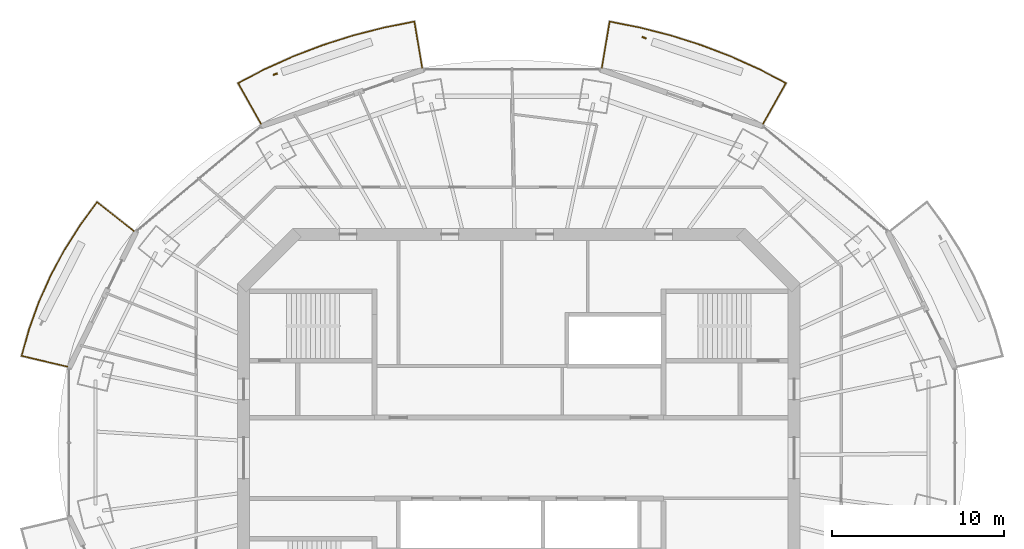
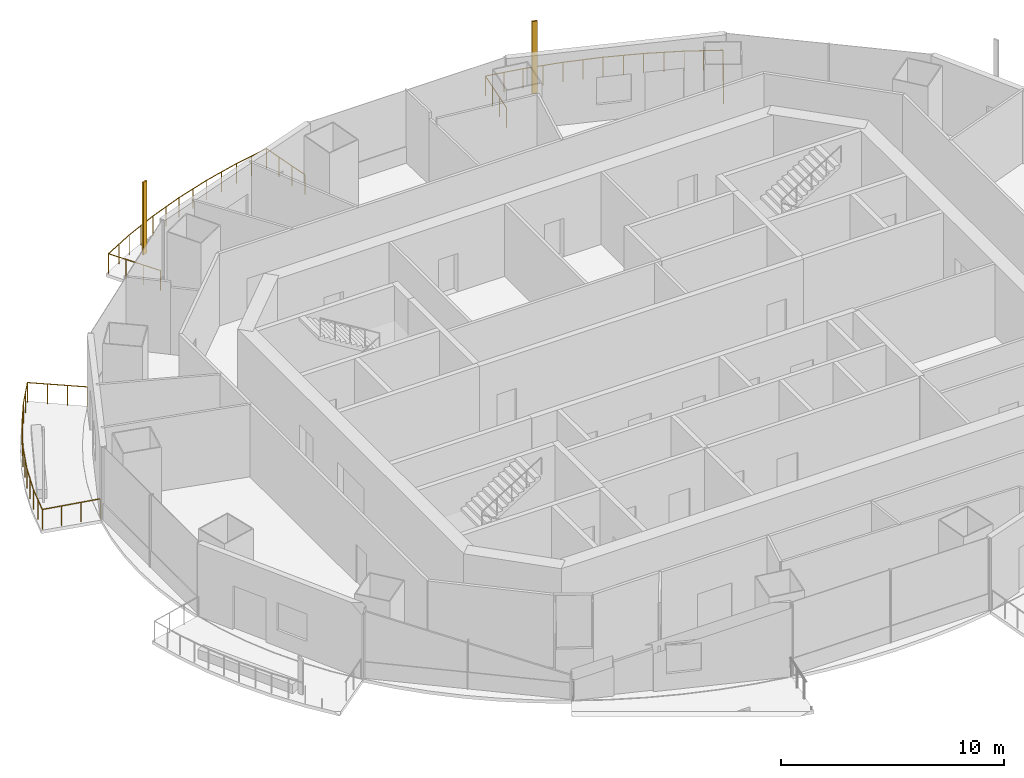
# One storey, part 14 of 16: 3 railings, 2 shading devices.
"""IFC4 building model written with IfcOpenShell, lengths in metres."""

from ifc_helpers import new_model, si_unit, direction, frame, origin, origin_2d, place, context, subcontext, project, spatial, rectangle, circle, extrude, material, material_profile, profile_set, type_object, element, save


model = new_model("IFC4")

# Units and contexts
model_context = context("Model", 3, precision=1e-05, world=origin(), true_north=direction((0.0, 1.0)))
body_context = subcontext(model_context, "Body", "Model", "MODEL_VIEW")
ifc_project = project(units=[si_unit("LENGTHUNIT", "METRE"), si_unit("AREAUNIT", "SQUARE_METRE"), si_unit("VOLUMEUNIT", "CUBIC_METRE"), si_unit("PLANEANGLEUNIT", "RADIAN"), si_unit("MASSUNIT", "GRAM", prefix="KILO")], contexts=[model_context])

# Site, building, storey
site_placement = place(None, origin())
site = spatial("IfcSite", under=ifc_project, at=site_placement, CompositionType="ELEMENT")
building_placement = place(site_placement, origin())
building = spatial("IfcBuilding", under=site, at=building_placement, Name="Marenthal Gate Tower", CompositionType="ELEMENT")
storey_placement = place(building_placement, frame((0.0, 0.0, 367.5)))
storey = spatial("IfcBuildingStorey", under=building, at=storey_placement, Name="L83", CompositionType="ELEMENT", Elevation=367.5)

# Railings
ifc_material_1 = material(Name="Stainless steel", Category="steel")
railing_type = type_object("IfcRailingType", Name="Balcony guard 1100", PredefinedType="GUARDRAIL", material=ifc_material_1)
railing_1_placement = place(storey_placement, frame((4.826416015625, 22.690673828125, 0.0)))
element("IfcRailing", 1, at=railing_1_placement, inside=storey, type_object=railing_type, Name="Balcony guard L83 bay 3", PredefinedType="GUARDRAIL", context=body_context, shape_type="SweptSolid", body=[
    extrude(circle(Radius=0.02392578125, at=origin_2d()), frame((0.0, 0.0, 1.076171875), z_axis=(0.165414456926, 0.986114290962, -0.01471946334), x_axis=(-0.986221135368, 0.165432379401, 0.0)), (0.0, 0.0, 1.0), 2.72021484375),
    extrude(circle(Radius=0.02392578125, at=origin_2d()), frame((0.449951171875, 2.682373046875, 1.0361328125), z_axis=(0.981009399429, -0.193960197546, 0.0), x_axis=(0.193960197546, 0.981009399429, 0.0)), (0.0, 0.0, 1.0), 1.7861328125),
    extrude(circle(Radius=0.02392578125, at=origin_2d()), frame((2.2021484375, 2.3359375, 1.0361328125), z_axis=(0.968846683281, -0.247661269269, 0.0), x_axis=(0.247661269269, 0.968846683281, 0.0)), (0.0, 0.0, 1.0), 1.859130859375),
    extrude(circle(Radius=0.02392578125, at=origin_2d()), frame((4.00341796875, 1.87548828125, 1.0361328125), z_axis=(0.953211172176, -0.30230524514, 0.0), x_axis=(0.30230524514, 0.953211172176, 0.0)), (0.0, 0.0, 1.0), 1.85107421875),
    extrude(circle(Radius=0.02392578125, at=origin_2d()), frame((5.767822265625, 1.31591796875, 1.0361328125), z_axis=(0.934231239104, -0.35666790139, 0.0), x_axis=(0.35666790139, 0.934231239104, 0.0)), (0.0, 0.0, 1.0), 1.84130859375),
    extrude(circle(Radius=0.02392578125, at=origin_2d()), frame((7.488037109375, 0.6591796875, 1.0361328125), z_axis=(0.911781695063, -0.410675225146, 0.0), x_axis=(0.410675225146, 0.911781695063, 0.0)), (0.0, 0.0, 1.0), 1.830322265625),
    extrude(circle(Radius=0.02392578125, at=origin_2d()), frame((9.156982421875, -0.092529296875, 1.0361328125), z_axis=(0.886366910687, -0.462983476637, 0.0), x_axis=(0.462983476637, 0.886366910687, 0.0)), (0.0, 0.0, 1.0), 1.738525390625),
    extrude(circle(Radius=0.02392578125, at=origin_2d()), frame((10.697998046875, -0.8974609375, 1.0361328125), z_axis=(-0.490915294113, -0.871082969774, 0.014718484138), x_axis=(0.871177338103, -0.490968477171, 0.0)), (0.0, 0.0, 1.0), 2.72021484375),
    extrude(circle(Radius=0.02099609375, at=origin_2d()), origin(), (0.0, 0.0, 1.0), 1.052001953125),
    extrude(circle(Radius=0.02099609375, at=origin_2d()), frame((0.14990234375, 0.89404296875, -0.013427734375)), (0.0, 0.0, 1.0), 1.052001953125),
    extrude(circle(Radius=0.02099609375, at=origin_2d()), frame((0.300048828125, 1.788330078125, -0.026611328125)), (0.0, 0.0, 1.0), 1.052001953125),
    extrude(circle(Radius=0.02099609375, at=origin_2d()), frame((0.449951171875, 2.682373046875, -0.0400390625)), (0.0, 0.0, 1.0), 1.052001953125),
    extrude(circle(Radius=0.02099609375, at=origin_2d()), frame((1.326171875, 2.50927734375, -0.0400390625)), (0.0, 0.0, 1.0), 1.052001953125),
    extrude(circle(Radius=0.02099609375, at=origin_2d()), frame((2.2021484375, 2.3359375, -0.0400390625)), (0.0, 0.0, 1.0), 1.052001953125),
    extrude(circle(Radius=0.02099609375, at=origin_2d()), frame((3.102783203125, 2.105712890625, -0.0400390625)), (0.0, 0.0, 1.0), 1.052001953125),
    extrude(circle(Radius=0.02099609375, at=origin_2d()), frame((4.00341796875, 1.87548828125, -0.0400390625)), (0.0, 0.0, 1.0), 1.052001953125),
    extrude(circle(Radius=0.02099609375, at=origin_2d()), frame((4.8857421875, 1.595703125, -0.0400390625)), (0.0, 0.0, 1.0), 1.052001953125),
    extrude(circle(Radius=0.02099609375, at=origin_2d()), frame((5.767822265625, 1.31591796875, -0.0400390625)), (0.0, 0.0, 1.0), 1.052001953125),
    extrude(circle(Radius=0.02099609375, at=origin_2d()), frame((6.6279296875, 0.987548828125, -0.0400390625)), (0.0, 0.0, 1.0), 1.052001953125),
    extrude(circle(Radius=0.02099609375, at=origin_2d()), frame((7.488037109375, 0.6591796875, -0.0400390625)), (0.0, 0.0, 1.0), 1.052001953125),
    extrude(circle(Radius=0.02099609375, at=origin_2d()), frame((8.322509765625, 0.283203125, -0.0400390625)), (0.0, 0.0, 1.0), 1.052001953125),
    extrude(circle(Radius=0.02099609375, at=origin_2d()), frame((9.156982421875, -0.092529296875, -0.0400390625)), (0.0, 0.0, 1.0), 1.052001953125),
    extrude(circle(Radius=0.02099609375, at=origin_2d()), frame((9.927490234375, -0.4951171875, -0.0400390625)), (0.0, 0.0, 1.0), 1.052001953125),
    extrude(circle(Radius=0.02099609375, at=origin_2d()), frame((10.697998046875, -0.8974609375, -0.0400390625)), (0.0, 0.0, 1.0), 1.052001953125),
    extrude(circle(Radius=0.02099609375, at=origin_2d()), frame((10.2529296875, -1.687255859375, -0.026611328125)), (0.0, 0.0, 1.0), 1.052001953125),
    extrude(circle(Radius=0.02099609375, at=origin_2d()), frame((9.8076171875, -2.477294921875, -0.013427734375)), (0.0, 0.0, 1.0), 1.052001953125),
    extrude(circle(Radius=0.02099609375, at=origin_2d()), frame((9.362548828125, -3.26708984375, 0.0)), (0.0, 0.0, 1.0), 1.052001953125),
])
railing_2_placement = place(storey_placement, frame((-14.989013671875, 19.423583984375, 0.0)))
element("IfcRailing", 2, at=railing_2_placement, inside=storey, type_object=railing_type, Name="Balcony guard L83 bay 5", PredefinedType="GUARDRAIL", context=body_context, shape_type="SweptSolid", body=[
    extrude(circle(Radius=0.02392578125, at=origin_2d()), frame((0.0, 0.0, 1.076171875), z_axis=(-0.490915294113, 0.871082969774, -0.014718484138), x_axis=(-0.871177338103, -0.490968477171, 0.0)), (0.0, 0.0, 1.0), 2.72021484375),
    extrude(circle(Radius=0.02392578125, at=origin_2d()), frame((-1.33544921875, 2.36962890625, 1.0361328125), z_axis=(0.886397005833, 0.462925855889, 0.0), x_axis=(-0.462925855889, 0.886397005833, 0.0)), (0.0, 0.0, 1.0), 1.73876953125),
    extrude(circle(Radius=0.02392578125, at=origin_2d()), frame((0.205810546875, 3.174560546875, 1.0361328125), z_axis=(0.911781695063, 0.410675225146, 0.0), x_axis=(-0.410675225146, 0.911781695063, 0.0)), (0.0, 0.0, 1.0), 1.830322265625),
    extrude(circle(Radius=0.02392578125, at=origin_2d()), frame((1.874755859375, 3.92626953125, 1.0361328125), z_axis=(0.934231239104, 0.35666790139, 0.0), x_axis=(-0.35666790139, 0.934231239104, 0.0)), (0.0, 0.0, 1.0), 1.84130859375),
    extrude(circle(Radius=0.02392578125, at=origin_2d()), frame((3.594970703125, 4.5830078125, 1.0361328125), z_axis=(0.953199116145, 0.302343256879, 0.0), x_axis=(-0.302343256879, 0.953199116145, 0.0)), (0.0, 0.0, 1.0), 1.850830078125),
    extrude(circle(Radius=0.02392578125, at=origin_2d()), frame((5.359130859375, 5.142578125, 1.0361328125), z_axis=(0.968854736133, 0.247629764514, 0.0), x_axis=(-0.247629764514, 0.968854736133, 0.0)), (0.0, 0.0, 1.0), 1.859375),
    extrude(circle(Radius=0.02392578125, at=origin_2d()), frame((7.16064453125, 5.60302734375, 1.0361328125), z_axis=(0.981004256117, 0.193986209508, 0.0), x_axis=(-0.193986209508, 0.981004256117, 0.0)), (0.0, 0.0, 1.0), 1.785888671875),
    extrude(circle(Radius=0.02392578125, at=origin_2d()), frame((8.91259765625, 5.949462890625, 1.0361328125), z_axis=(0.165414456926, -0.986114290962, 0.01471946334), x_axis=(0.986221135368, 0.165432379401, 0.0)), (0.0, 0.0, 1.0), 2.72021484375),
    extrude(circle(Radius=0.02099609375, at=origin_2d()), origin(), (0.0, 0.0, 1.0), 1.052001953125),
    extrude(circle(Radius=0.02099609375, at=origin_2d()), frame((-0.445068359375, 0.789794921875, -0.013427734375)), (0.0, 0.0, 1.0), 1.052001953125),
    extrude(circle(Radius=0.02099609375, at=origin_2d()), frame((-0.890380859375, 1.579833984375, -0.026611328125)), (0.0, 0.0, 1.0), 1.052001953125),
    extrude(circle(Radius=0.02099609375, at=origin_2d()), frame((-1.33544921875, 2.36962890625, -0.0400390625)), (0.0, 0.0, 1.0), 1.052001953125),
    extrude(circle(Radius=0.02099609375, at=origin_2d()), frame((-0.56494140625, 2.77197265625, -0.0400390625)), (0.0, 0.0, 1.0), 1.052001953125),
    extrude(circle(Radius=0.02099609375, at=origin_2d()), frame((0.205810546875, 3.174560546875, -0.0400390625)), (0.0, 0.0, 1.0), 1.052001953125),
    extrude(circle(Radius=0.02099609375, at=origin_2d()), frame((1.040283203125, 3.55029296875, -0.0400390625)), (0.0, 0.0, 1.0), 1.052001953125),
    extrude(circle(Radius=0.02099609375, at=origin_2d()), frame((1.874755859375, 3.92626953125, -0.0400390625)), (0.0, 0.0, 1.0), 1.052001953125),
    extrude(circle(Radius=0.02099609375, at=origin_2d()), frame((2.73486328125, 4.254638671875, -0.0400390625)), (0.0, 0.0, 1.0), 1.052001953125),
    extrude(circle(Radius=0.02099609375, at=origin_2d()), frame((3.594970703125, 4.5830078125, -0.0400390625)), (0.0, 0.0, 1.0), 1.052001953125),
    extrude(circle(Radius=0.02099609375, at=origin_2d()), frame((4.47705078125, 4.86279296875, -0.0400390625)), (0.0, 0.0, 1.0), 1.052001953125),
    extrude(circle(Radius=0.02099609375, at=origin_2d()), frame((5.359130859375, 5.142578125, -0.0400390625)), (0.0, 0.0, 1.0), 1.052001953125),
    extrude(circle(Radius=0.02099609375, at=origin_2d()), frame((6.259765625, 5.372802734375, -0.0400390625)), (0.0, 0.0, 1.0), 1.052001953125),
    extrude(circle(Radius=0.02099609375, at=origin_2d()), frame((7.16064453125, 5.60302734375, -0.0400390625)), (0.0, 0.0, 1.0), 1.052001953125),
    extrude(circle(Radius=0.02099609375, at=origin_2d()), frame((8.03662109375, 5.7763671875, -0.0400390625)), (0.0, 0.0, 1.0), 1.052001953125),
    extrude(circle(Radius=0.02099609375, at=origin_2d()), frame((8.91259765625, 5.949462890625, -0.0400390625)), (0.0, 0.0, 1.0), 1.052001953125),
    extrude(circle(Radius=0.02099609375, at=origin_2d()), frame((9.0625, 5.055419921875, -0.026611328125)), (0.0, 0.0, 1.0), 1.052001953125),
    extrude(circle(Radius=0.02099609375, at=origin_2d()), frame((9.212646484375, 4.1611328125, -0.013427734375)), (0.0, 0.0, 1.0), 1.052001953125),
    extrude(circle(Radius=0.02099609375, at=origin_2d()), frame((9.362548828125, 3.26708984375, 0.0)), (0.0, 0.0, 1.0), 1.052001953125),
])
railing_3_placement = place(storey_placement, frame((-26.259521484375, 5.31494140625, 0.0)))
element("IfcRailing", 3, at=railing_3_placement, inside=storey, type_object=railing_type, Name="Balcony guard L83 bay 7", PredefinedType="GUARDRAIL", context=body_context, shape_type="SweptSolid", body=[
    extrude(circle(Radius=0.02392578125, at=origin_2d()), frame((0.0, 0.0, 1.076171875), z_axis=(-0.973202156383, 0.229479704341, -0.014718291557), x_axis=(-0.229504564257, -0.973307584983, 0.0)), (0.0, 0.0, 1.0), 2.720458984375),
    extrude(circle(Radius=0.02392578125, at=origin_2d()), frame((-2.6474609375, 0.624267578125, 1.0361328125), z_axis=(0.268495452575, 0.96328095172, 0.0), x_axis=(-0.96328095172, 0.268495452575, 0.0)), (0.0, 0.0, 1.0), 1.5966796875),
    extrude(circle(Radius=0.02392578125, at=origin_2d()), frame((-2.21875, 2.162353515625, 1.0361328125), z_axis=(0.338632164542, 0.940918836637, 0.0), x_axis=(-0.940918836637, 0.338632164542, 0.0)), (0.0, 0.0, 1.0), 1.683349609375),
    extrude(circle(Radius=0.02392578125, at=origin_2d()), frame((-1.648681640625, 3.746337890625, 1.0361328125), z_axis=(0.407837712996, 0.913054434225, 0.0), x_axis=(-0.913054434225, 0.407837712996, 0.0)), (0.0, 0.0, 1.0), 1.6923828125),
    extrude(circle(Radius=0.02392578125, at=origin_2d()), frame((-0.95849609375, 5.29150390625, 1.0361328125), z_axis=(0.473586418161, 0.880747355678, 0.0), x_axis=(-0.880747355678, 0.473586418161, 0.0)), (0.0, 0.0, 1.0), 1.70166015625),
    extrude(circle(Radius=0.02392578125, at=origin_2d()), frame((-0.152587890625, 6.790283203125, 1.0361328125), z_axis=(0.535611442073, 0.844464554093, 0.0), x_axis=(-0.844464554093, 0.535611442073, 0.0)), (0.0, 0.0, 1.0), 1.712890625),
    extrude(circle(Radius=0.02392578125, at=origin_2d()), frame((0.764892578125, 8.23681640625, 1.0361328125), z_axis=(0.592398949291, 0.805644763453, 0.0), x_axis=(-0.805644763453, 0.592398949291, 0.0)), (0.0, 0.0, 1.0), 1.645263671875),
    extrude(circle(Radius=0.02392578125, at=origin_2d()), frame((1.739501953125, 9.562255859375, 1.0361328125), z_axis=(0.783769769253, -0.620877048402, 0.014718681113), x_axis=(0.6209443126, 0.783854680824, 0.0)), (0.0, 0.0, 1.0), 2.72021484375),
    extrude(circle(Radius=0.02099609375, at=origin_2d()), origin(), (0.0, 0.0, 1.0), 1.052001953125),
    extrude(circle(Radius=0.02099609375, at=origin_2d()), frame((-0.882568359375, 0.2080078125, -0.013427734375)), (0.0, 0.0, 1.0), 1.052001953125),
    extrude(circle(Radius=0.02099609375, at=origin_2d()), frame((-1.764892578125, 0.416259765625, -0.026611328125)), (0.0, 0.0, 1.0), 1.052001953125),
    extrude(circle(Radius=0.02099609375, at=origin_2d()), frame((-2.6474609375, 0.624267578125, -0.0400390625)), (0.0, 0.0, 1.0), 1.052001953125),
    extrude(circle(Radius=0.02099609375, at=origin_2d()), frame((-2.43310546875, 1.393310546875, -0.0400390625)), (0.0, 0.0, 1.0), 1.052001953125),
    extrude(circle(Radius=0.02099609375, at=origin_2d()), frame((-2.21875, 2.162353515625, -0.0400390625)), (0.0, 0.0, 1.0), 1.052001953125),
    extrude(circle(Radius=0.02099609375, at=origin_2d()), frame((-1.93359375, 2.954345703125, -0.0400390625)), (0.0, 0.0, 1.0), 1.052001953125),
    extrude(circle(Radius=0.02099609375, at=origin_2d()), frame((-1.648681640625, 3.746337890625, -0.0400390625)), (0.0, 0.0, 1.0), 1.052001953125),
    extrude(circle(Radius=0.02099609375, at=origin_2d()), frame((-1.3037109375, 4.51904296875, -0.0400390625)), (0.0, 0.0, 1.0), 1.052001953125),
    extrude(circle(Radius=0.02099609375, at=origin_2d()), frame((-0.95849609375, 5.29150390625, -0.0400390625)), (0.0, 0.0, 1.0), 1.052001953125),
    extrude(circle(Radius=0.02099609375, at=origin_2d()), frame((-0.5556640625, 6.041015625, -0.0400390625)), (0.0, 0.0, 1.0), 1.052001953125),
    extrude(circle(Radius=0.02099609375, at=origin_2d()), frame((-0.152587890625, 6.790283203125, -0.0400390625)), (0.0, 0.0, 1.0), 1.052001953125),
    extrude(circle(Radius=0.02099609375, at=origin_2d()), frame((0.30615234375, 7.513671875, -0.0400390625)), (0.0, 0.0, 1.0), 1.052001953125),
    extrude(circle(Radius=0.02099609375, at=origin_2d()), frame((0.764892578125, 8.23681640625, -0.0400390625)), (0.0, 0.0, 1.0), 1.052001953125),
    extrude(circle(Radius=0.02099609375, at=origin_2d()), frame((1.252197265625, 8.8994140625, -0.0400390625)), (0.0, 0.0, 1.0), 1.052001953125),
    extrude(circle(Radius=0.02099609375, at=origin_2d()), frame((1.739501953125, 9.562255859375, -0.0400390625)), (0.0, 0.0, 1.0), 1.052001953125),
    extrude(circle(Radius=0.02099609375, at=origin_2d()), frame((2.4501953125, 8.999267578125, -0.026611328125)), (0.0, 0.0, 1.0), 1.052001953125),
    extrude(circle(Radius=0.02099609375, at=origin_2d()), frame((3.160888671875, 8.436279296875, -0.013427734375)), (0.0, 0.0, 1.0), 1.052001953125),
    extrude(circle(Radius=0.02099609375, at=origin_2d()), frame((3.87158203125, 7.873291015625, 0.0)), (0.0, 0.0, 1.0), 1.052001953125),
])

# Shading devices
ifc_material_2 = material(Name="Terracotta", Category="masonry")
ifc_material_profile = material_profile(ifc_material_2, rectangle(XDim=0.25, YDim=0.080078125, at=origin_2d()), Name="Terracotta baguette 250x80")
ifc_profile_set = profile_set([ifc_material_profile], Name="Terracotta")
shading_device_type = type_object("IfcShadingDeviceType", Name="Terracotta BAGUETTE SCREEN 250x80", PredefinedType="USERDEFINED", material=ifc_profile_set)
for number, where, z_axis, x_axis, name in (
    (4, (7.281982421875, 24.437255859375, -0.0400390625), (0.0, 0.0, 1.0), (-0.944118156364, 0.329607200807, 0.0), "Terracotta BAGUETTE L83 bay 3R"),
    (5, (-14.161865234375, 22.314697265625, -0.0400390625), (0.0, 0.0, 1.0), (-0.944118156364, -0.329607200807, 0.0), "Terracotta BAGUETTE L83 bay 5R"),
):
    element("IfcShadingDevice", number, at=place(storey_placement, frame(where, z_axis=z_axis, x_axis=x_axis)), inside=storey, type_object=shading_device_type, Name=name, ObjectType="BAGUETTE SCREEN", PredefinedType="USERDEFINED", context=body_context, shape_type="SweptSolid", body=[
        extrude(rectangle(XDim=0.25, YDim=0.080078125, at=origin_2d()), origin(), (0.0, 0.0, 1.0), 3.969970703125),
    ])

save(model, "model.ifc")
